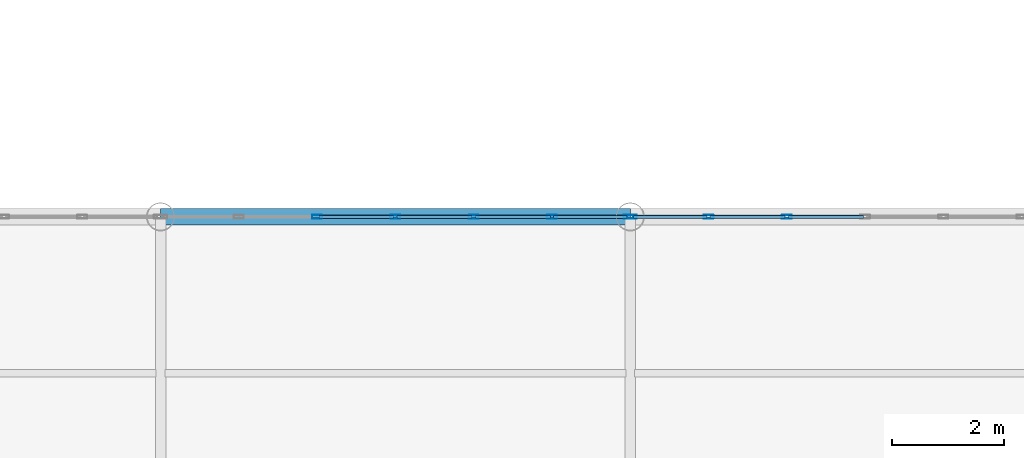
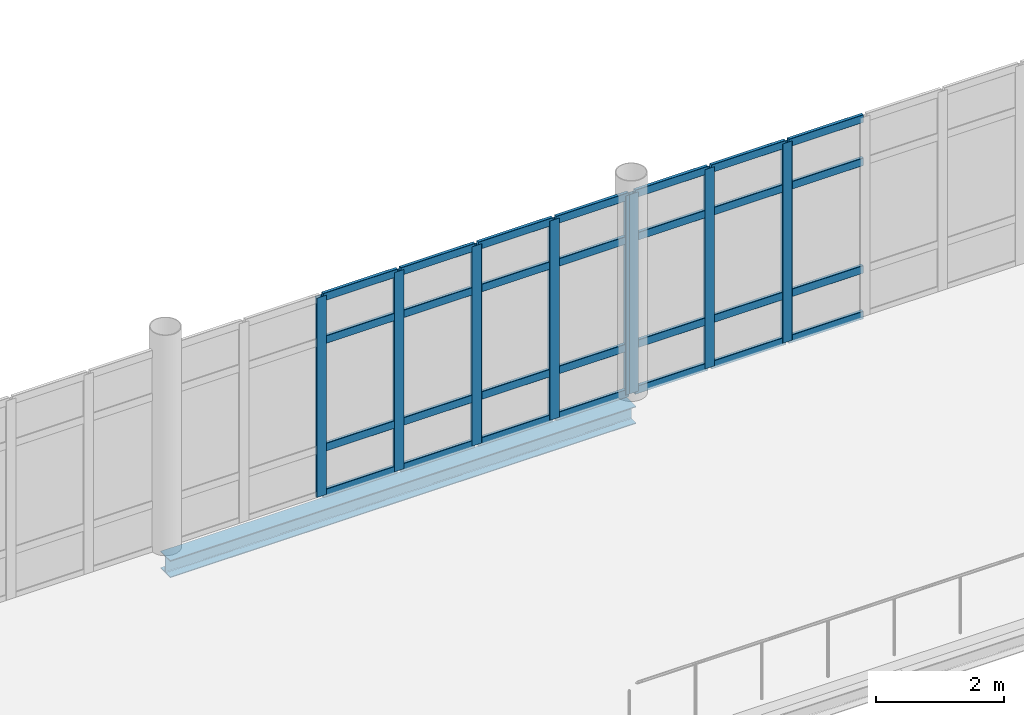
# One storey, part 68 of 163: 36 members, 1 beam, 2 elements without a shape of their own.
"""IFC4 building model written with IfcOpenShell, lengths in metres."""

from ifc_helpers import new_model, si_unit, direction, frame, origin, origin_2d, place, context, subcontext, project, spatial, hollow_rectangle, i_section, extrude, material, layer, layer_set, material_profile, profile_set, type_object, element, aggregate, save


model = new_model("IFC4")

# Units and contexts
model_context = context("Model", 3, precision=1e-05, world=origin(), true_north=direction((0.0, 1.0)))
body_context = subcontext(model_context, "Body", "Model", "MODEL_VIEW")
ifc_project = project(units=[si_unit("LENGTHUNIT", "METRE"), si_unit("AREAUNIT", "SQUARE_METRE"), si_unit("VOLUMEUNIT", "CUBIC_METRE"), si_unit("PLANEANGLEUNIT", "RADIAN"), si_unit("MASSUNIT", "GRAM", prefix="KILO")], contexts=[model_context])

# Site, building, storey
site_placement = place(None, origin())
site = spatial("IfcSite", under=ifc_project, at=site_placement, CompositionType="ELEMENT")
building_placement = place(site_placement, origin())
building = spatial("IfcBuilding", under=site, at=building_placement, Name="Qalvenar Corner Mobility Hub", CompositionType="ELEMENT")
storey_placement = place(building_placement, frame((0.0, 0.0, 4.800048828125)))
storey = spatial("IfcBuildingStorey", under=building, at=storey_placement, Name="L01", CompositionType="ELEMENT", Elevation=4.800048828125)

# Beam
ifc_material_1 = material(Name="Steel S355", Category="steel")
ifc_material_profile_1 = material_profile(ifc_material_1, i_section(OverallWidth=0.300048828125, OverallDepth=0.330078125, WebThickness=0.009521484375, FlangeThickness=0.0166015625, FilletRadius=0.027099609375, at=origin_2d()), Name="HEA340")
ifc_profile_set_1 = profile_set([ifc_material_profile_1], Name="Steel S355")
beam_type = type_object("IfcBeamType", Name="BM-SPN340", PredefinedType="SPANDREL", material=ifc_profile_set_1)
beam_placement = place(storey_placement, frame((75.60009765625, 33.60009765625, -0.344970703125), z_axis=(1.0, 0.0, 0.0), x_axis=(0.0, 1.0, 0.0)))
element("IfcBeam", 1, at=beam_placement, inside=storey, type_object=beam_type, Name="Primary Steel Girder GX-0953", PredefinedType="SPANDREL", context=body_context, shape_type="SweptSolid", body=[
    extrude(i_section(OverallWidth=0.300048828125, OverallDepth=0.330078125, WebThickness=0.009521484375, FlangeThickness=0.0166015625, FilletRadius=0.027099609375, at=origin_2d()), origin(), (0.0, 0.0, 1.0), 8.39990234375),
])

# Curtain wall, members
ifc_material_2 = material(Name="Anodised Aluminium and Low-E Glazing", Category="aluminium")
ifc_layer = layer(ifc_material_2, 0.179931640625)
ifc_layer_set = layer_set([ifc_layer], Name="Anodised Aluminium and Low-E Glazing")
curtain_wall_type = type_object("IfcCurtainWallType", Name="CW-CONC-84X42", PredefinedType="NOTDEFINED", material=ifc_layer_set)
curtain_wall_1_placement = place(storey_placement, origin())
curtain_wall_1 = element("IfcCurtainWall", 2, at=curtain_wall_1_placement, inside=storey, type_object=curtain_wall_type, Name="Glazed Curtain Wall CW-V1-L01-N3", PredefinedType="NOTDEFINED")
ifc_material_3 = material(Name="Anodised Aluminium 6063-T6", Category="aluminium")
ifc_material_profile_2 = material_profile(ifc_material_3, hollow_rectangle(XDim=0.06494140625, YDim=0.179931640625, WallThickness=0.00390625, InnerFilletRadius=0.00390625, OuterFilletRadius=0.008056640625, at=origin_2d()), Name="RHS180x65x4")
ifc_profile_set_2 = profile_set([ifc_material_profile_2], Name="Anodised Aluminium 6063-T6")
member_type_1 = type_object("IfcMemberType", Name="CW-MUL180", PredefinedType="MULLION", material=ifc_profile_set_2)
member_1_placement = place(storey_placement, frame((83.969970703125, 33.60009765625, 0.0), z_axis=(0.0, 0.0, 1.0), x_axis=(0.0, -1.0, 0.0)))
member_1 = element("IfcMember", 3, at=member_1_placement, type_object=member_type_1, Name="CW-02 mullion 1", PredefinedType="MULLION", context=body_context, shape_type="SweptSolid", body=[
    extrude(hollow_rectangle(XDim=0.06494140625, YDim=0.179931640625, WallThickness=0.00390625, InnerFilletRadius=0.00390625, OuterFilletRadius=0.008056640625, at=origin_2d()), origin(), (0.0, 0.0, 1.0), 3.800048828125),
])
member_2_placement = place(storey_placement, frame((82.60009765625, 33.60009765625, 0.0), z_axis=(0.0, 0.0, 1.0), x_axis=(0.0, -1.0, 0.0)))
member_2 = element("IfcMember", 4, at=member_2_placement, type_object=member_type_1, Name="CW-02 mullion 2", PredefinedType="MULLION", context=body_context, shape_type="SweptSolid", body=[
    extrude(hollow_rectangle(XDim=0.06494140625, YDim=0.179931640625, WallThickness=0.00390625, InnerFilletRadius=0.00390625, OuterFilletRadius=0.008056640625, at=origin_2d()), origin(), (0.0, 0.0, 1.0), 3.800048828125),
])
member_3_placement = place(storey_placement, frame((81.199951171875, 33.60009765625, 0.0), z_axis=(0.0, 0.0, 1.0), x_axis=(0.0, -1.0, 0.0)))
member_3 = element("IfcMember", 5, at=member_3_placement, type_object=member_type_1, Name="CW-02 mullion 3", PredefinedType="MULLION", context=body_context, shape_type="SweptSolid", body=[
    extrude(hollow_rectangle(XDim=0.06494140625, YDim=0.179931640625, WallThickness=0.00390625, InnerFilletRadius=0.00390625, OuterFilletRadius=0.008056640625, at=origin_2d()), origin(), (0.0, 0.0, 1.0), 3.800048828125),
])
member_4_placement = place(storey_placement, frame((79.800048828125, 33.60009765625, 0.0), z_axis=(0.0, 0.0, 1.0), x_axis=(0.0, -1.0, 0.0)))
member_4 = element("IfcMember", 6, at=member_4_placement, type_object=member_type_1, Name="CW-02 mullion 4", PredefinedType="MULLION", context=body_context, shape_type="SweptSolid", body=[
    extrude(hollow_rectangle(XDim=0.06494140625, YDim=0.179931640625, WallThickness=0.00390625, InnerFilletRadius=0.00390625, OuterFilletRadius=0.008056640625, at=origin_2d()), origin(), (0.0, 0.0, 1.0), 3.800048828125),
])
member_5_placement = place(storey_placement, frame((78.39990234375, 33.60009765625, 0.0), z_axis=(0.0, 0.0, 1.0), x_axis=(0.0, -1.0, 0.0)))
member_5 = element("IfcMember", 7, at=member_5_placement, type_object=member_type_1, Name="CW-02 mullion 5", PredefinedType="MULLION", context=body_context, shape_type="SweptSolid", body=[
    extrude(hollow_rectangle(XDim=0.06494140625, YDim=0.179931640625, WallThickness=0.00390625, InnerFilletRadius=0.00390625, OuterFilletRadius=0.008056640625, at=origin_2d()), origin(), (0.0, 0.0, 1.0), 3.800048828125),
])

curtain_wall_2_placement = place(storey_placement, origin())
curtain_wall_2 = element("IfcCurtainWall", 8, at=curtain_wall_2_placement, inside=storey, type_object=curtain_wall_type, Name="Glazed Curtain Wall CW-V1-L01-N4", PredefinedType="NOTDEFINED")
member_6_placement = place(storey_placement, frame((86.800048828125, 33.60009765625, 0.0), z_axis=(0.0, 0.0, 1.0), x_axis=(0.0, -1.0, 0.0)))
member_6 = element("IfcMember", 9, at=member_6_placement, type_object=member_type_1, Name="CW-02 mullion 5", PredefinedType="MULLION", context=body_context, shape_type="SweptSolid", body=[
    extrude(hollow_rectangle(XDim=0.06494140625, YDim=0.179931640625, WallThickness=0.00390625, InnerFilletRadius=0.00390625, OuterFilletRadius=0.008056640625, at=origin_2d()), origin(), (0.0, 0.0, 1.0), 3.800048828125),
])
member_7_placement = place(storey_placement, frame((85.39990234375, 33.60009765625, 0.0), z_axis=(0.0, 0.0, 1.0), x_axis=(0.0, -1.0, 0.0)))
member_7 = element("IfcMember", 10, at=member_7_placement, type_object=member_type_1, Name="CW-02 mullion 6", PredefinedType="MULLION", context=body_context, shape_type="SweptSolid", body=[
    extrude(hollow_rectangle(XDim=0.06494140625, YDim=0.179931640625, WallThickness=0.00390625, InnerFilletRadius=0.00390625, OuterFilletRadius=0.008056640625, at=origin_2d()), origin(), (0.0, 0.0, 1.0), 3.800048828125),
])
member_8_placement = place(storey_placement, frame((84.030029296875, 33.60009765625, 0.0), z_axis=(0.0, 0.0, 1.0), x_axis=(0.0, -1.0, 0.0)))
member_8 = element("IfcMember", 11, at=member_8_placement, type_object=member_type_1, Name="CW-02 mullion 7", PredefinedType="MULLION", context=body_context, shape_type="SweptSolid", body=[
    extrude(hollow_rectangle(XDim=0.06494140625, YDim=0.179931640625, WallThickness=0.00390625, InnerFilletRadius=0.00390625, OuterFilletRadius=0.008056640625, at=origin_2d()), origin(), (0.0, 0.0, 1.0), 3.800048828125),
])

# Member
ifc_material_profile_3 = material_profile(ifc_material_3, hollow_rectangle(XDim=0.06005859375, YDim=0.14990234375, WallThickness=0.00341796875, InnerFilletRadius=0.00341796875, OuterFilletRadius=0.007080078125, at=origin_2d()), Name="RHS150x60x3.5")
ifc_profile_set_3 = profile_set([ifc_material_profile_3], Name="Anodised Aluminium 6063-T6")
member_type_2 = type_object("IfcMemberType", Name="CW-TRN150", PredefinedType="USERDEFINED", material=ifc_profile_set_3)
member_9_placement = place(storey_placement, frame((83.93994140625, 33.60009765625, 0.02734375), z_axis=(-1.0, 0.0, 0.0), x_axis=(0.0, -1.0, 0.0)))
member_9 = element("IfcMember", 12, at=member_9_placement, type_object=member_type_2, Name="CW-02 transom 1.1", ObjectType="TRANSOM", PredefinedType="USERDEFINED", context=body_context, shape_type="SweptSolid", body=[
    extrude(hollow_rectangle(XDim=0.06005859375, YDim=0.14990234375, WallThickness=0.00341796875, InnerFilletRadius=0.00341796875, OuterFilletRadius=0.007080078125, at=origin_2d()), origin(), (0.0, 0.0, 1.0), 1.31005859375),
])

member_10_placement = place(storey_placement, frame((83.93994140625, 33.60009765625, 0.89990234375), z_axis=(-1.0, 0.0, 0.0), x_axis=(0.0, -1.0, 0.0)))
member_10 = element("IfcMember", 13, at=member_10_placement, type_object=member_type_2, Name="CW-02 transom 1.2", ObjectType="TRANSOM", PredefinedType="USERDEFINED", context=body_context, shape_type="SweptSolid", body=[
    extrude(hollow_rectangle(XDim=0.06005859375, YDim=0.14990234375, WallThickness=0.00341796875, InnerFilletRadius=0.00341796875, OuterFilletRadius=0.007080078125, at=origin_2d()), origin(), (0.0, 0.0, 1.0), 1.31005859375),
])

member_11_placement = place(storey_placement, frame((83.93994140625, 33.60009765625, 2.949951171875), z_axis=(-1.0, 0.0, 0.0), x_axis=(0.0, -1.0, 0.0)))
member_11 = element("IfcMember", 14, at=member_11_placement, type_object=member_type_2, Name="CW-02 transom 1.3", ObjectType="TRANSOM", PredefinedType="USERDEFINED", context=body_context, shape_type="SweptSolid", body=[
    extrude(hollow_rectangle(XDim=0.06005859375, YDim=0.14990234375, WallThickness=0.00341796875, InnerFilletRadius=0.00341796875, OuterFilletRadius=0.007080078125, at=origin_2d()), origin(), (0.0, 0.0, 1.0), 1.31005859375),
])

member_12_placement = place(storey_placement, frame((83.93994140625, 33.60009765625, 3.7724609375), z_axis=(-1.0, 0.0, 0.0), x_axis=(0.0, -1.0, 0.0)))
member_12 = element("IfcMember", 15, at=member_12_placement, type_object=member_type_2, Name="CW-02 transom 1.4", ObjectType="TRANSOM", PredefinedType="USERDEFINED", context=body_context, shape_type="SweptSolid", body=[
    extrude(hollow_rectangle(XDim=0.06005859375, YDim=0.14990234375, WallThickness=0.00341796875, InnerFilletRadius=0.00341796875, OuterFilletRadius=0.007080078125, at=origin_2d()), origin(), (0.0, 0.0, 1.0), 1.31005859375),
])

member_13_placement = place(storey_placement, frame((82.570068359375, 33.60009765625, 0.02734375), z_axis=(-1.0, 0.0, 0.0), x_axis=(0.0, -1.0, 0.0)))
member_13 = element("IfcMember", 16, at=member_13_placement, type_object=member_type_2, Name="CW-02 transom 2.1", ObjectType="TRANSOM", PredefinedType="USERDEFINED", context=body_context, shape_type="SweptSolid", body=[
    extrude(hollow_rectangle(XDim=0.06005859375, YDim=0.14990234375, WallThickness=0.00341796875, InnerFilletRadius=0.00341796875, OuterFilletRadius=0.007080078125, at=origin_2d()), origin(), (0.0, 0.0, 1.0), 1.340087890625),
])

member_14_placement = place(storey_placement, frame((82.570068359375, 33.60009765625, 0.89990234375), z_axis=(-1.0, 0.0, 0.0), x_axis=(0.0, -1.0, 0.0)))
member_14 = element("IfcMember", 17, at=member_14_placement, type_object=member_type_2, Name="CW-02 transom 2.2", ObjectType="TRANSOM", PredefinedType="USERDEFINED", context=body_context, shape_type="SweptSolid", body=[
    extrude(hollow_rectangle(XDim=0.06005859375, YDim=0.14990234375, WallThickness=0.00341796875, InnerFilletRadius=0.00341796875, OuterFilletRadius=0.007080078125, at=origin_2d()), origin(), (0.0, 0.0, 1.0), 1.340087890625),
])

member_15_placement = place(storey_placement, frame((82.570068359375, 33.60009765625, 2.949951171875), z_axis=(-1.0, 0.0, 0.0), x_axis=(0.0, -1.0, 0.0)))
member_15 = element("IfcMember", 18, at=member_15_placement, type_object=member_type_2, Name="CW-02 transom 2.3", ObjectType="TRANSOM", PredefinedType="USERDEFINED", context=body_context, shape_type="SweptSolid", body=[
    extrude(hollow_rectangle(XDim=0.06005859375, YDim=0.14990234375, WallThickness=0.00341796875, InnerFilletRadius=0.00341796875, OuterFilletRadius=0.007080078125, at=origin_2d()), origin(), (0.0, 0.0, 1.0), 1.340087890625),
])

member_16_placement = place(storey_placement, frame((82.570068359375, 33.60009765625, 3.7724609375), z_axis=(-1.0, 0.0, 0.0), x_axis=(0.0, -1.0, 0.0)))
member_16 = element("IfcMember", 19, at=member_16_placement, type_object=member_type_2, Name="CW-02 transom 2.4", ObjectType="TRANSOM", PredefinedType="USERDEFINED", context=body_context, shape_type="SweptSolid", body=[
    extrude(hollow_rectangle(XDim=0.06005859375, YDim=0.14990234375, WallThickness=0.00341796875, InnerFilletRadius=0.00341796875, OuterFilletRadius=0.007080078125, at=origin_2d()), origin(), (0.0, 0.0, 1.0), 1.340087890625),
])

member_17_placement = place(storey_placement, frame((81.169921875, 33.60009765625, 0.02734375), z_axis=(-1.0, 0.0, 0.0), x_axis=(0.0, -1.0, 0.0)))
member_17 = element("IfcMember", 20, at=member_17_placement, type_object=member_type_2, Name="CW-02 transom 3.1", ObjectType="TRANSOM", PredefinedType="USERDEFINED", context=body_context, shape_type="SweptSolid", body=[
    extrude(hollow_rectangle(XDim=0.06005859375, YDim=0.14990234375, WallThickness=0.00341796875, InnerFilletRadius=0.00341796875, OuterFilletRadius=0.007080078125, at=origin_2d()), origin(), (0.0, 0.0, 1.0), 1.33984375),
])

member_18_placement = place(storey_placement, frame((81.169921875, 33.60009765625, 0.89990234375), z_axis=(-1.0, 0.0, 0.0), x_axis=(0.0, -1.0, 0.0)))
member_18 = element("IfcMember", 21, at=member_18_placement, type_object=member_type_2, Name="CW-02 transom 3.2", ObjectType="TRANSOM", PredefinedType="USERDEFINED", context=body_context, shape_type="SweptSolid", body=[
    extrude(hollow_rectangle(XDim=0.06005859375, YDim=0.14990234375, WallThickness=0.00341796875, InnerFilletRadius=0.00341796875, OuterFilletRadius=0.007080078125, at=origin_2d()), origin(), (0.0, 0.0, 1.0), 1.33984375),
])

member_19_placement = place(storey_placement, frame((81.169921875, 33.60009765625, 2.949951171875), z_axis=(-1.0, 0.0, 0.0), x_axis=(0.0, -1.0, 0.0)))
member_19 = element("IfcMember", 22, at=member_19_placement, type_object=member_type_2, Name="CW-02 transom 3.3", ObjectType="TRANSOM", PredefinedType="USERDEFINED", context=body_context, shape_type="SweptSolid", body=[
    extrude(hollow_rectangle(XDim=0.06005859375, YDim=0.14990234375, WallThickness=0.00341796875, InnerFilletRadius=0.00341796875, OuterFilletRadius=0.007080078125, at=origin_2d()), origin(), (0.0, 0.0, 1.0), 1.33984375),
])

member_20_placement = place(storey_placement, frame((81.169921875, 33.60009765625, 3.7724609375), z_axis=(-1.0, 0.0, 0.0), x_axis=(0.0, -1.0, 0.0)))
member_20 = element("IfcMember", 23, at=member_20_placement, type_object=member_type_2, Name="CW-02 transom 3.4", ObjectType="TRANSOM", PredefinedType="USERDEFINED", context=body_context, shape_type="SweptSolid", body=[
    extrude(hollow_rectangle(XDim=0.06005859375, YDim=0.14990234375, WallThickness=0.00341796875, InnerFilletRadius=0.00341796875, OuterFilletRadius=0.007080078125, at=origin_2d()), origin(), (0.0, 0.0, 1.0), 1.33984375),
])

member_21_placement = place(storey_placement, frame((79.77001953125, 33.60009765625, 0.02734375), z_axis=(-1.0, 0.0, 0.0), x_axis=(0.0, -1.0, 0.0)))
member_21 = element("IfcMember", 24, at=member_21_placement, type_object=member_type_2, Name="CW-02 transom 4.1", ObjectType="TRANSOM", PredefinedType="USERDEFINED", context=body_context, shape_type="SweptSolid", body=[
    extrude(hollow_rectangle(XDim=0.06005859375, YDim=0.14990234375, WallThickness=0.00341796875, InnerFilletRadius=0.00341796875, OuterFilletRadius=0.007080078125, at=origin_2d()), origin(), (0.0, 0.0, 1.0), 1.340087890625),
])

member_22_placement = place(storey_placement, frame((79.77001953125, 33.60009765625, 0.89990234375), z_axis=(-1.0, 0.0, 0.0), x_axis=(0.0, -1.0, 0.0)))
member_22 = element("IfcMember", 25, at=member_22_placement, type_object=member_type_2, Name="CW-02 transom 4.2", ObjectType="TRANSOM", PredefinedType="USERDEFINED", context=body_context, shape_type="SweptSolid", body=[
    extrude(hollow_rectangle(XDim=0.06005859375, YDim=0.14990234375, WallThickness=0.00341796875, InnerFilletRadius=0.00341796875, OuterFilletRadius=0.007080078125, at=origin_2d()), origin(), (0.0, 0.0, 1.0), 1.340087890625),
])

member_23_placement = place(storey_placement, frame((79.77001953125, 33.60009765625, 2.949951171875), z_axis=(-1.0, 0.0, 0.0), x_axis=(0.0, -1.0, 0.0)))
member_23 = element("IfcMember", 26, at=member_23_placement, type_object=member_type_2, Name="CW-02 transom 4.3", ObjectType="TRANSOM", PredefinedType="USERDEFINED", context=body_context, shape_type="SweptSolid", body=[
    extrude(hollow_rectangle(XDim=0.06005859375, YDim=0.14990234375, WallThickness=0.00341796875, InnerFilletRadius=0.00341796875, OuterFilletRadius=0.007080078125, at=origin_2d()), origin(), (0.0, 0.0, 1.0), 1.340087890625),
])

member_24_placement = place(storey_placement, frame((79.77001953125, 33.60009765625, 3.7724609375), z_axis=(-1.0, 0.0, 0.0), x_axis=(0.0, -1.0, 0.0)))
member_24 = element("IfcMember", 27, at=member_24_placement, type_object=member_type_2, Name="CW-02 transom 4.4", ObjectType="TRANSOM", PredefinedType="USERDEFINED", context=body_context, shape_type="SweptSolid", body=[
    extrude(hollow_rectangle(XDim=0.06005859375, YDim=0.14990234375, WallThickness=0.00341796875, InnerFilletRadius=0.00341796875, OuterFilletRadius=0.007080078125, at=origin_2d()), origin(), (0.0, 0.0, 1.0), 1.340087890625),
])

aggregate(curtain_wall_1, [member_1, member_2, member_3, member_4, member_5, member_9, member_10, member_11, member_12, member_13, member_14, member_15, member_16, member_17, member_18, member_19, member_20, member_21, member_22, member_23, member_24])

member_25_placement = place(storey_placement, frame((88.169921875, 33.60009765625, 0.02734375), z_axis=(-1.0, 0.0, 0.0), x_axis=(0.0, -1.0, 0.0)))
member_25 = element("IfcMember", 28, at=member_25_placement, type_object=member_type_2, Name="CW-02 transom 4.1", ObjectType="TRANSOM", PredefinedType="USERDEFINED", context=body_context, shape_type="SweptSolid", body=[
    extrude(hollow_rectangle(XDim=0.06005859375, YDim=0.14990234375, WallThickness=0.00341796875, InnerFilletRadius=0.00341796875, OuterFilletRadius=0.007080078125, at=origin_2d()), origin(), (0.0, 0.0, 1.0), 1.33984375),
])

member_26_placement = place(storey_placement, frame((88.169921875, 33.60009765625, 0.89990234375), z_axis=(-1.0, 0.0, 0.0), x_axis=(0.0, -1.0, 0.0)))
member_26 = element("IfcMember", 29, at=member_26_placement, type_object=member_type_2, Name="CW-02 transom 4.2", ObjectType="TRANSOM", PredefinedType="USERDEFINED", context=body_context, shape_type="SweptSolid", body=[
    extrude(hollow_rectangle(XDim=0.06005859375, YDim=0.14990234375, WallThickness=0.00341796875, InnerFilletRadius=0.00341796875, OuterFilletRadius=0.007080078125, at=origin_2d()), origin(), (0.0, 0.0, 1.0), 1.33984375),
])

member_27_placement = place(storey_placement, frame((88.169921875, 33.60009765625, 2.949951171875), z_axis=(-1.0, 0.0, 0.0), x_axis=(0.0, -1.0, 0.0)))
member_27 = element("IfcMember", 30, at=member_27_placement, type_object=member_type_2, Name="CW-02 transom 4.3", ObjectType="TRANSOM", PredefinedType="USERDEFINED", context=body_context, shape_type="SweptSolid", body=[
    extrude(hollow_rectangle(XDim=0.06005859375, YDim=0.14990234375, WallThickness=0.00341796875, InnerFilletRadius=0.00341796875, OuterFilletRadius=0.007080078125, at=origin_2d()), origin(), (0.0, 0.0, 1.0), 1.33984375),
])

member_28_placement = place(storey_placement, frame((88.169921875, 33.60009765625, 3.7724609375), z_axis=(-1.0, 0.0, 0.0), x_axis=(0.0, -1.0, 0.0)))
member_28 = element("IfcMember", 31, at=member_28_placement, type_object=member_type_2, Name="CW-02 transom 4.4", ObjectType="TRANSOM", PredefinedType="USERDEFINED", context=body_context, shape_type="SweptSolid", body=[
    extrude(hollow_rectangle(XDim=0.06005859375, YDim=0.14990234375, WallThickness=0.00341796875, InnerFilletRadius=0.00341796875, OuterFilletRadius=0.007080078125, at=origin_2d()), origin(), (0.0, 0.0, 1.0), 1.33984375),
])

member_29_placement = place(storey_placement, frame((86.77001953125, 33.60009765625, 0.02734375), z_axis=(-1.0, 0.0, 0.0), x_axis=(0.0, -1.0, 0.0)))
member_29 = element("IfcMember", 32, at=member_29_placement, type_object=member_type_2, Name="CW-02 transom 5.1", ObjectType="TRANSOM", PredefinedType="USERDEFINED", context=body_context, shape_type="SweptSolid", body=[
    extrude(hollow_rectangle(XDim=0.06005859375, YDim=0.14990234375, WallThickness=0.00341796875, InnerFilletRadius=0.00341796875, OuterFilletRadius=0.007080078125, at=origin_2d()), origin(), (0.0, 0.0, 1.0), 1.340087890625),
])

member_30_placement = place(storey_placement, frame((86.77001953125, 33.60009765625, 0.89990234375), z_axis=(-1.0, 0.0, 0.0), x_axis=(0.0, -1.0, 0.0)))
member_30 = element("IfcMember", 33, at=member_30_placement, type_object=member_type_2, Name="CW-02 transom 5.2", ObjectType="TRANSOM", PredefinedType="USERDEFINED", context=body_context, shape_type="SweptSolid", body=[
    extrude(hollow_rectangle(XDim=0.06005859375, YDim=0.14990234375, WallThickness=0.00341796875, InnerFilletRadius=0.00341796875, OuterFilletRadius=0.007080078125, at=origin_2d()), origin(), (0.0, 0.0, 1.0), 1.340087890625),
])

member_31_placement = place(storey_placement, frame((86.77001953125, 33.60009765625, 2.949951171875), z_axis=(-1.0, 0.0, 0.0), x_axis=(0.0, -1.0, 0.0)))
member_31 = element("IfcMember", 34, at=member_31_placement, type_object=member_type_2, Name="CW-02 transom 5.3", ObjectType="TRANSOM", PredefinedType="USERDEFINED", context=body_context, shape_type="SweptSolid", body=[
    extrude(hollow_rectangle(XDim=0.06005859375, YDim=0.14990234375, WallThickness=0.00341796875, InnerFilletRadius=0.00341796875, OuterFilletRadius=0.007080078125, at=origin_2d()), origin(), (0.0, 0.0, 1.0), 1.340087890625),
])

member_32_placement = place(storey_placement, frame((86.77001953125, 33.60009765625, 3.7724609375), z_axis=(-1.0, 0.0, 0.0), x_axis=(0.0, -1.0, 0.0)))
member_32 = element("IfcMember", 35, at=member_32_placement, type_object=member_type_2, Name="CW-02 transom 5.4", ObjectType="TRANSOM", PredefinedType="USERDEFINED", context=body_context, shape_type="SweptSolid", body=[
    extrude(hollow_rectangle(XDim=0.06005859375, YDim=0.14990234375, WallThickness=0.00341796875, InnerFilletRadius=0.00341796875, OuterFilletRadius=0.007080078125, at=origin_2d()), origin(), (0.0, 0.0, 1.0), 1.340087890625),
])

member_33_placement = place(storey_placement, frame((85.3701171875, 33.60009765625, 0.02734375), z_axis=(-1.0, 0.0, 0.0), x_axis=(0.0, -1.0, 0.0)))
member_33 = element("IfcMember", 36, at=member_33_placement, type_object=member_type_2, Name="CW-02 transom 6.1", ObjectType="TRANSOM", PredefinedType="USERDEFINED", context=body_context, shape_type="SweptSolid", body=[
    extrude(hollow_rectangle(XDim=0.06005859375, YDim=0.14990234375, WallThickness=0.00341796875, InnerFilletRadius=0.00341796875, OuterFilletRadius=0.007080078125, at=origin_2d()), origin(), (0.0, 0.0, 1.0), 1.31005859375),
])

member_34_placement = place(storey_placement, frame((85.3701171875, 33.60009765625, 0.89990234375), z_axis=(-1.0, 0.0, 0.0), x_axis=(0.0, -1.0, 0.0)))
member_34 = element("IfcMember", 37, at=member_34_placement, type_object=member_type_2, Name="CW-02 transom 6.2", ObjectType="TRANSOM", PredefinedType="USERDEFINED", context=body_context, shape_type="SweptSolid", body=[
    extrude(hollow_rectangle(XDim=0.06005859375, YDim=0.14990234375, WallThickness=0.00341796875, InnerFilletRadius=0.00341796875, OuterFilletRadius=0.007080078125, at=origin_2d()), origin(), (0.0, 0.0, 1.0), 1.31005859375),
])

member_35_placement = place(storey_placement, frame((85.3701171875, 33.60009765625, 2.949951171875), z_axis=(-1.0, 0.0, 0.0), x_axis=(0.0, -1.0, 0.0)))
member_35 = element("IfcMember", 38, at=member_35_placement, type_object=member_type_2, Name="CW-02 transom 6.3", ObjectType="TRANSOM", PredefinedType="USERDEFINED", context=body_context, shape_type="SweptSolid", body=[
    extrude(hollow_rectangle(XDim=0.06005859375, YDim=0.14990234375, WallThickness=0.00341796875, InnerFilletRadius=0.00341796875, OuterFilletRadius=0.007080078125, at=origin_2d()), origin(), (0.0, 0.0, 1.0), 1.31005859375),
])

member_36_placement = place(storey_placement, frame((85.3701171875, 33.60009765625, 3.7724609375), z_axis=(-1.0, 0.0, 0.0), x_axis=(0.0, -1.0, 0.0)))
member_36 = element("IfcMember", 39, at=member_36_placement, type_object=member_type_2, Name="CW-02 transom 6.4", ObjectType="TRANSOM", PredefinedType="USERDEFINED", context=body_context, shape_type="SweptSolid", body=[
    extrude(hollow_rectangle(XDim=0.06005859375, YDim=0.14990234375, WallThickness=0.00341796875, InnerFilletRadius=0.00341796875, OuterFilletRadius=0.007080078125, at=origin_2d()), origin(), (0.0, 0.0, 1.0), 1.31005859375),
])

aggregate(curtain_wall_2, [member_6, member_7, member_8, member_25, member_26, member_27, member_28, member_29, member_30, member_31, member_32, member_33, member_34, member_35, member_36])

save(model, "model.ifc")
